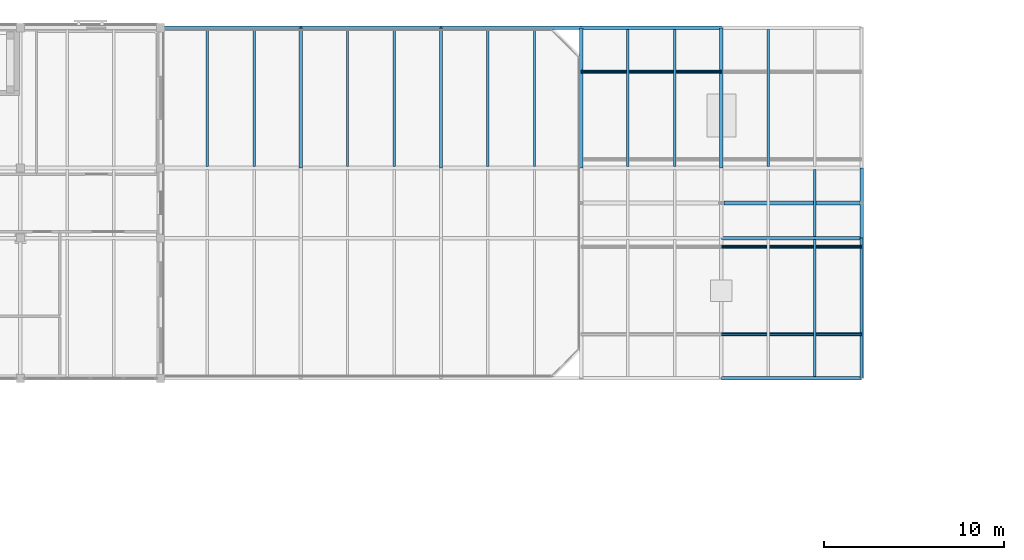
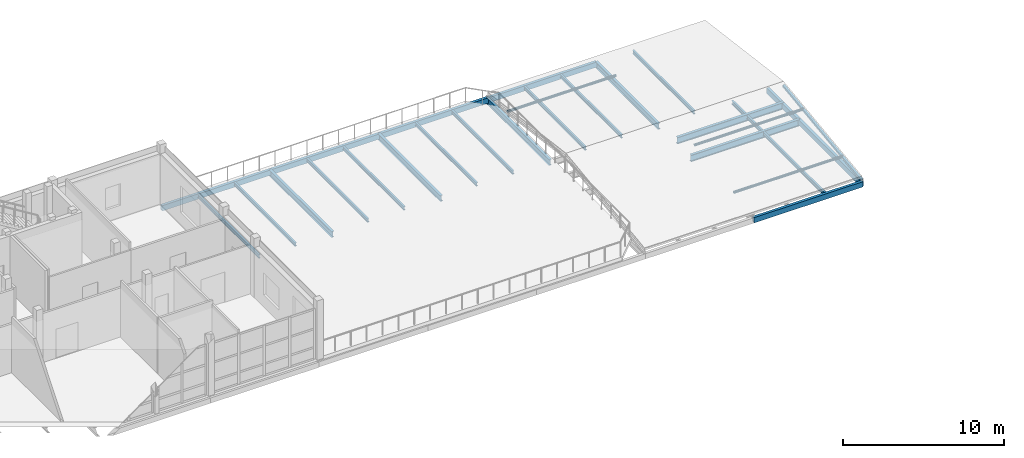
# One storey, part 14 of 45: 24 beams, 4 members.
"""IFC4 building model written with IfcOpenShell, lengths in metres."""

from ifc_helpers import new_model, si_unit, direction, frame, origin, origin_2d, place, context, subcontext, project, spatial, hollow_rectangle, hollow_circle, i_section, extrude, material, material_profile, profile_set, type_object, element, save


model = new_model("IFC4")

# Units and contexts
model_context = context("Model", 3, precision=1e-05, world=origin(), true_north=direction((0.0, 1.0)))
body_context = subcontext(model_context, "Body", "Model", "MODEL_VIEW")
ifc_project = project(units=[si_unit("LENGTHUNIT", "METRE"), si_unit("AREAUNIT", "SQUARE_METRE"), si_unit("VOLUMEUNIT", "CUBIC_METRE"), si_unit("PLANEANGLEUNIT", "RADIAN"), si_unit("MASSUNIT", "GRAM", prefix="KILO")], contexts=[model_context])

# Site, building, storey
site_placement = place(None, origin())
site = spatial("IfcSite", under=ifc_project, at=site_placement, CompositionType="ELEMENT")
building_placement = place(site_placement, origin())
building = spatial("IfcBuilding", under=site, at=building_placement, Name="Celorna Specialist Clinic", CompositionType="ELEMENT")
storey_placement = place(building_placement, frame((0.0, 0.0, 18.60009765625)))
storey = spatial("IfcBuildingStorey", under=building, at=storey_placement, Name="L04", CompositionType="ELEMENT", Elevation=18.60009765625)

# Beams
ifc_material = material(Name="Steel S355", Category="steel")
ifc_material_profile_1 = material_profile(ifc_material, i_section(OverallWidth=0.199951171875, OverallDepth=0.5, WebThickness=0.01025390625, FlangeThickness=0.01611328125, at=origin_2d()), Name="IPE 500")
ifc_profile_set_1 = profile_set([ifc_material_profile_1], Name="Steel S355")
beam_type_1 = type_object("IfcBeamType", Name="BM-08", PredefinedType="BEAM", material=ifc_profile_set_1)
beam_1_placement = place(storey_placement, frame((124.800048828125, 104.300048828125, -0.510009765625), z_axis=(1.0, 0.0, 0.0), x_axis=(0.0, 1.0, 0.0)))
element("IfcBeam", 1, at=beam_1_placement, inside=storey, type_object=beam_type_1, Name="Primary girder BM-08 #2318", PredefinedType="BEAM", context=body_context, shape_type="SweptSolid", body=[
    extrude(i_section(OverallWidth=0.199951171875, OverallDepth=0.5, WebThickness=0.01025390625, FlangeThickness=0.01611328125, at=origin_2d()), origin(), (0.0, 0.0, 1.0), 7.800048828125),
])
beam_2_placement = place(storey_placement, frame((124.949951171875, 106.25, -0.400146484375), z_axis=(1.0, 0.0, 0.0), x_axis=(0.0, 1.0, 0.0)))
element("IfcBeam", 2, at=beam_2_placement, inside=storey, type_object=beam_type_1, Name="V4 central pavilion roof ridge girder", PredefinedType="BEAM", context=body_context, shape_type="SweptSolid", body=[
    extrude(i_section(OverallWidth=0.199951171875, OverallDepth=0.5, WebThickness=0.01025390625, FlangeThickness=0.01611328125, at=origin_2d()), origin(), (0.0, 0.0, 1.0), 7.650146484375),
])
ifc_material_profile_2 = material_profile(ifc_material, i_section(OverallWidth=0.18994140625, OverallDepth=0.449951171875, WebThickness=0.009521484375, FlangeThickness=0.0146484375, at=origin_2d()), Name="IPE 450")
ifc_profile_set_2 = profile_set([ifc_material_profile_2], Name="Steel S355")
beam_type_2 = type_object("IfcBeamType", Name="BM-09", PredefinedType="BEAM", material=ifc_profile_set_2)
for number, where, z_axis, x_axis, name in (
    (3, (101.39990234375, 108.199951171875, -0.485107421875), (0.0, 1.0, 0.0), (-1.0, 0.0, 0.0), "Transverse girder BM-09 #2331"),
    (4, (109.199951171875, 108.199951171875, -0.485107421875), (0.0, 1.0, 0.0), (-1.0, 0.0, 0.0), "Transverse girder BM-09 #2334"),
    (5, (117.0, 108.199951171875, -0.485107421875), (0.0, 1.0, 0.0), (-1.0, 0.0, 0.0), "Transverse girder BM-09 #2337"),
    (6, (124.800048828125, 108.199951171875, -0.485107421875), (0.0, 1.0, 0.0), (-1.0, 0.0, 0.0), "Transverse girder BM-09 #2340"),
):
    element("IfcBeam", number, at=place(storey_placement, frame(where, z_axis=z_axis, x_axis=x_axis)), inside=storey, type_object=beam_type_2, Name=name, PredefinedType="BEAM", context=body_context, shape_type="SweptSolid", body=[
        extrude(i_section(OverallWidth=0.18994140625, OverallDepth=0.449951171875, WebThickness=0.009521484375, FlangeThickness=0.0146484375, at=origin_2d()), origin(), (0.0, 0.0, 1.0), 7.800048828125),
    ])
ifc_material_profile_3 = material_profile(ifc_material, i_section(OverallWidth=0.135009765625, OverallDepth=0.27001953125, WebThickness=0.006591796875, FlangeThickness=0.01025390625, at=origin_2d()), Name="IPE 270")
ifc_profile_set_3 = profile_set([ifc_material_profile_3], Name="Steel S355")
beam_type_3 = type_object("IfcBeamType", Name="BM-14", PredefinedType="JOIST", material=ifc_profile_set_3)
for number, where, z_axis, x_axis, name in (
    (7, (96.199951171875, 108.2880859375, -0.39501953125), (0.0, 1.0, 0.0), (-1.0, 0.0, 0.0), "Secondary floor joist BM-14 #2348"),
    (8, (98.800048828125, 108.2880859375, -0.39501953125), (0.0, 1.0, 0.0), (-1.0, 0.0, 0.0), "Secondary floor joist BM-14 #2349"),
    (9, (104.0, 108.2880859375, -0.39501953125), (0.0, 1.0, 0.0), (-1.0, 0.0, 0.0), "Secondary floor joist BM-14 #2354"),
    (10, (106.60009765625, 108.2880859375, -0.39501953125), (0.0, 1.0, 0.0), (-1.0, 0.0, 0.0), "Secondary floor joist BM-14 #2355"),
    (11, (111.800048828125, 108.2880859375, -0.39501953125), (0.0, 1.0, 0.0), (-1.0, 0.0, 0.0), "Secondary floor joist BM-14 #2360"),
    (12, (114.39990234375, 108.2880859375, -0.39501953125), (0.0, 1.0, 0.0), (-1.0, 0.0, 0.0), "Secondary floor joist BM-14 #2361"),
    (13, (119.60009765625, 108.2880859375, -0.39501953125), (0.0, 1.0, 0.0), (-1.0, 0.0, 0.0), "Secondary floor joist BM-14 #2366"),
    (14, (122.199951171875, 108.2880859375, -0.39501953125), (0.0, 1.0, 0.0), (-1.0, 0.0, 0.0), "Secondary floor joist BM-14 #2367"),
    (15, (130.0, 96.587890625, -0.39501953125), (0.0, 1.0, 0.0), (-1.0, 0.0, 0.0), "Secondary floor joist BM-14 #2369"),
):
    element("IfcBeam", number, at=place(storey_placement, frame(where, z_axis=z_axis, x_axis=x_axis)), inside=storey, type_object=beam_type_3, Name=name, PredefinedType="JOIST", context=body_context, shape_type="SweptSolid", body=[
        extrude(i_section(OverallWidth=0.135009765625, OverallDepth=0.27001953125, WebThickness=0.006591796875, FlangeThickness=0.01025390625, at=origin_2d()), origin(), (0.0, 0.0, 1.0), 7.6240234375),
    ])
beam_3_placement = place(storey_placement, frame((130.0, 104.387939453125, -0.39501953125), z_axis=(0.0, 1.0, 0.0), x_axis=(-1.0, 0.0, 0.0)))
element("IfcBeam", 16, at=beam_3_placement, inside=storey, type_object=beam_type_3, Name="Secondary floor joist BM-14 #2371", PredefinedType="JOIST", context=body_context, shape_type="SweptSolid", body=[
    extrude(i_section(OverallWidth=0.135009765625, OverallDepth=0.27001953125, WebThickness=0.006591796875, FlangeThickness=0.01025390625, at=origin_2d()), origin(), (0.0, 0.0, 1.0), 3.72412109375),
])
beam_4_placement = place(storey_placement, frame((127.39990234375, 108.2880859375, -0.39501953125), z_axis=(0.0, 1.0, 0.0), x_axis=(-1.0, 0.0, 0.0)))
element("IfcBeam", 17, at=beam_4_placement, inside=storey, type_object=beam_type_3, Name="Secondary floor joist BM-14 #2372", PredefinedType="JOIST", context=body_context, shape_type="SweptSolid", body=[
    extrude(i_section(OverallWidth=0.135009765625, OverallDepth=0.27001953125, WebThickness=0.006591796875, FlangeThickness=0.01025390625, at=origin_2d()), origin(), (0.0, 0.0, 1.0), 7.6240234375),
])
ifc_material_profile_4 = material_profile(ifc_material, hollow_rectangle(XDim=0.199951171875, YDim=0.39990234375, WallThickness=0.011962890625, at=origin_2d()), Name="RHS 200x400x12")
ifc_profile_set_4 = profile_set([ifc_material_profile_4], Name="Steel S355")
beam_type_4 = type_object("IfcBeamType", Name="BM-15", PredefinedType="SPANDREL", material=ifc_profile_set_4)
beam_5_placement = place(storey_placement, frame((124.800048828125, 96.5, -0.460205078125), z_axis=(1.0, 0.0, 0.0), x_axis=(0.0, 1.0, 0.0)))
element("IfcBeam", 18, at=beam_5_placement, inside=storey, type_object=beam_type_4, Name="Spandrel beam BM-15 #2313", PredefinedType="SPANDREL", context=body_context, shape_type="SweptSolid", body=[
    extrude(hollow_rectangle(XDim=0.199951171875, YDim=0.39990234375, WallThickness=0.011962890625, at=origin_2d()), origin(), (0.0, 0.0, 1.0), 7.800048828125),
])
beam_6_placement = place(storey_placement, frame((93.60009765625, 116.0, -0.460205078125), z_axis=(1.0, 0.0, 0.0), x_axis=(0.0, 1.0, 0.0)))
element("IfcBeam", 19, at=beam_6_placement, inside=storey, type_object=beam_type_4, Name="Spandrel beam BM-15 #2324", PredefinedType="SPANDREL", context=body_context, shape_type="SweptSolid", body=[
    extrude(hollow_rectangle(XDim=0.199951171875, YDim=0.39990234375, WallThickness=0.011962890625, at=origin_2d()), origin(), (0.0, 0.0, 1.0), 7.7998046875),
])
for number, where, z_axis, x_axis, name in (
    (20, (101.39990234375, 116.0, -0.460205078125), (1.0, 0.0, 0.0), (0.0, 1.0, 0.0), "Spandrel beam BM-15 #2325"),
    (21, (109.199951171875, 116.0, -0.460205078125), (1.0, 0.0, 0.0), (0.0, 1.0, 0.0), "Spandrel beam BM-15 #2326"),
    (22, (117.0, 116.0, -0.460205078125), (1.0, 0.0, 0.0), (0.0, 1.0, 0.0), "Spandrel beam BM-15 #2327"),
    (23, (132.60009765625, 96.5, -0.460205078125), (0.0, 1.0, 0.0), (-1.0, 0.0, 0.0), "Spandrel beam BM-15 #2341"),
):
    element("IfcBeam", number, at=place(storey_placement, frame(where, z_axis=z_axis, x_axis=x_axis)), inside=storey, type_object=beam_type_4, Name=name, PredefinedType="SPANDREL", context=body_context, shape_type="SweptSolid", body=[
        extrude(hollow_rectangle(XDim=0.199951171875, YDim=0.39990234375, WallThickness=0.011962890625, at=origin_2d()), origin(), (0.0, 0.0, 1.0), 7.800048828125),
    ])
beam_7_placement = place(storey_placement, frame((132.60009765625, 104.300048828125, -0.460205078125), z_axis=(0.0, 1.0, 0.0), x_axis=(-1.0, 0.0, 0.0)))
element("IfcBeam", 24, at=beam_7_placement, inside=storey, type_object=beam_type_4, Name="Spandrel beam BM-15 #2342", PredefinedType="SPANDREL", context=body_context, shape_type="SweptSolid", body=[
    extrude(hollow_rectangle(XDim=0.199951171875, YDim=0.39990234375, WallThickness=0.011962890625, at=origin_2d()), origin(), (0.0, 0.0, 1.0), 3.89990234375),
])

# Members
ifc_material_profile_5 = material_profile(ifc_material, hollow_circle(Radius=0.096923828125, WallThickness=0.010009765625, at=origin_2d()), Name="CHS 193.7x10")
ifc_profile_set_5 = profile_set([ifc_material_profile_5], Name="Steel S355")
member_type_1 = type_object("IfcMemberType", Name="MB-04", PredefinedType="PURLIN", material=ifc_profile_set_5)
for number, where, z_axis, x_axis, name in (
    (25, (124.800048828125, 98.9375, 0.12548828125), (1.0, 0.0, 0.0), (0.0, 1.0, 0.0), "Roof purlin WP-375-WP-376"),
    (26, (124.800048828125, 103.8125, 0.760498046875), (1.0, 0.0, 0.0), (0.0, 1.0, 0.0), "Roof purlin WP-378-WP-379"),
    (27, (117.0, 113.5625, 0.12548828125), (1.0, 0.0, 0.0), (0.0, 1.0, 0.0), "Roof purlin WP-386-WP-387"),
):
    element("IfcMember", number, at=place(storey_placement, frame(where, z_axis=z_axis, x_axis=x_axis)), inside=storey, type_object=member_type_1, Name=name, PredefinedType="PURLIN", context=body_context, shape_type="SweptSolid", body=[
        extrude(hollow_circle(Radius=0.096923828125, WallThickness=0.010009765625, at=origin_2d()), origin(), (0.0, 0.0, 1.0), 7.800048828125),
    ])
ifc_material_profile_6 = material_profile(ifc_material, hollow_rectangle(XDim=0.159912109375, YDim=0.159912109375, WallThickness=0.010009765625, at=origin_2d()), Name="SHS 160x160x10")
ifc_profile_set_6 = profile_set([ifc_material_profile_6], Name="Steel S355")
member_type_2 = type_object("IfcMemberType", Name="MB-09", PredefinedType="CHORD", material=ifc_profile_set_6)
member_placement = place(storey_placement, frame((132.60009765625, 96.5, -0.2021484375), z_axis=(0.0, 0.991622826619, 0.129167216148), x_axis=(-1.0, 0.0, 0.0)))
element("IfcMember", 28, at=member_placement, inside=storey, type_object=member_type_2, Name="Pitched roof rafter chord WP-372-WP-373", PredefinedType="CHORD", context=body_context, shape_type="SweptSolid", body=[
    extrude(hollow_rectangle(XDim=0.159912109375, YDim=0.159912109375, WallThickness=0.010009765625, at=origin_2d()), origin(), (0.0, 0.0, 1.0), 9.832275390625),
])

save(model, "model.ifc")
